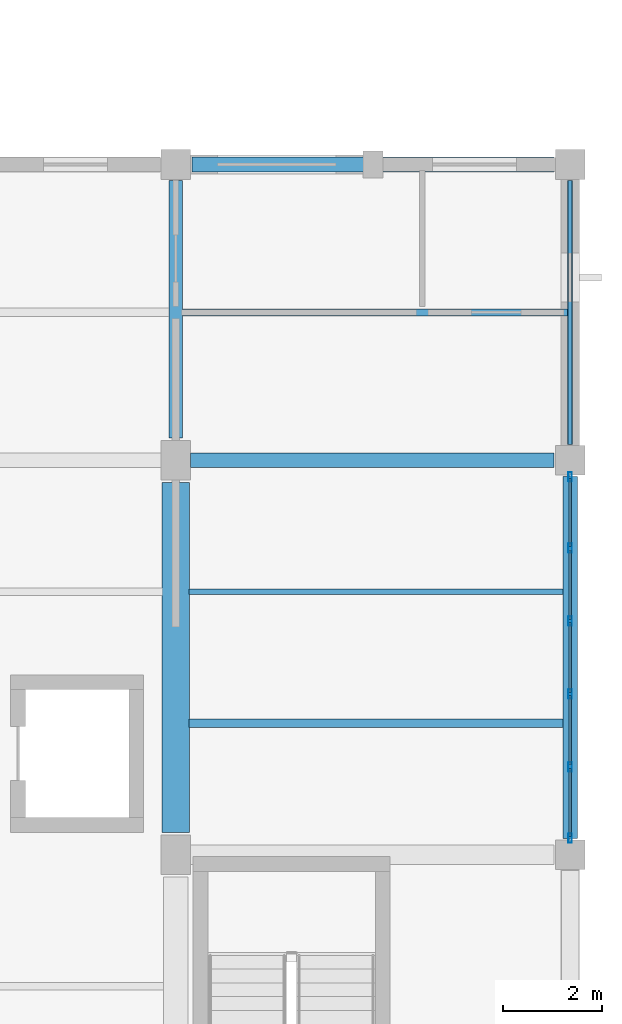
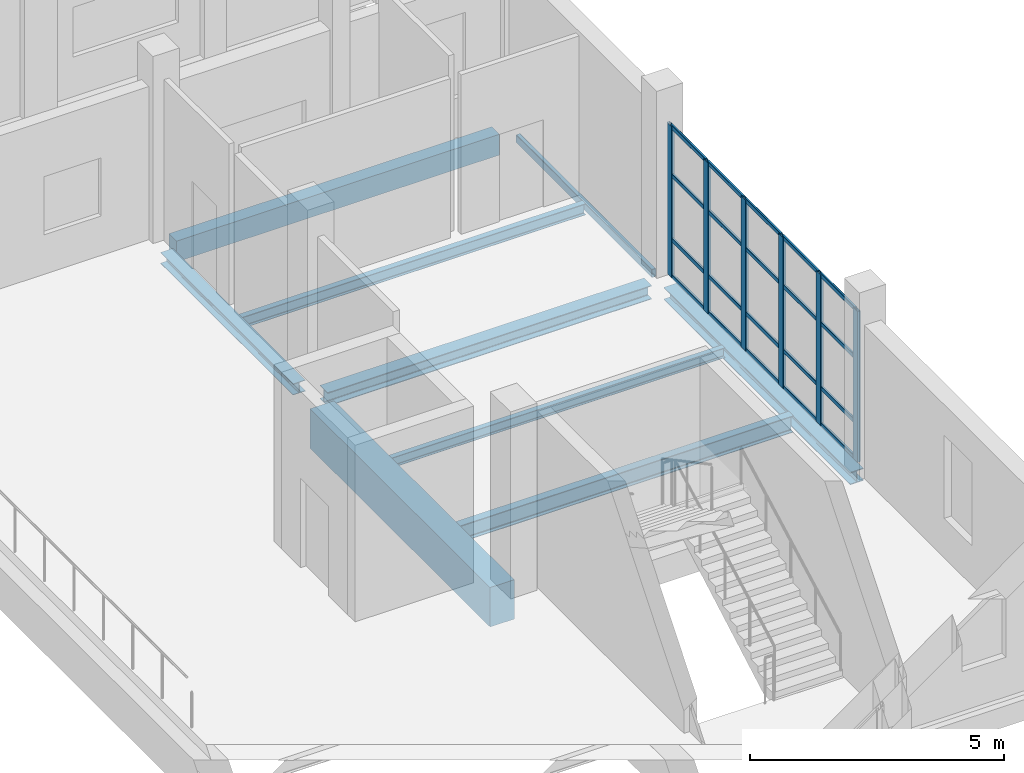
# One storey, part 113 of 183: 26 members, 9 beams, 1 element without a shape of its own.
"""IFC4 building model written with IfcOpenShell, lengths in metres."""

from ifc_helpers import new_model, si_unit, direction, frame, origin, origin_2d, place, context, subcontext, project, spatial, rectangle, hollow_rectangle, i_section, extrude, material, material_profile, profile_set, type_object, element, aggregate, save


model = new_model("IFC4")

# Units and contexts
model_context = context("Model", 3, precision=1e-05, world=origin(), true_north=direction((0.0, 1.0)))
body_context = subcontext(model_context, "Body", "Model", "MODEL_VIEW")
ifc_project = project(units=[si_unit("LENGTHUNIT", "METRE"), si_unit("AREAUNIT", "SQUARE_METRE"), si_unit("VOLUMEUNIT", "CUBIC_METRE"), si_unit("PLANEANGLEUNIT", "RADIAN"), si_unit("MASSUNIT", "GRAM", prefix="KILO")], contexts=[model_context])

# Site, building, storey
site_placement = place(None, origin())
site = spatial("IfcSite", under=ifc_project, at=site_placement, CompositionType="ELEMENT")
building_placement = place(site_placement, origin())
building = spatial("IfcBuilding", under=site, at=building_placement, Name="Luwemba Playhouse", CompositionType="ELEMENT")
storey_placement = place(building_placement, frame((0.0, 0.0, 4.800048828125)))
storey = spatial("IfcBuildingStorey", under=building, at=storey_placement, Name="L01", CompositionType="ELEMENT", Elevation=4.800048828125)

# Beams
ifc_material_1 = material(Name="Concrete C40/50", Category="concrete")
ifc_material_profile_1 = material_profile(ifc_material_1, rectangle(XDim=0.550048828125, YDim=0.949951171875, at=origin_2d()))
ifc_profile_set_1 = profile_set([ifc_material_profile_1], Name="Concrete C40/50")
beam_type_1 = type_object("IfcBeamType", Name="BM-RB08", PredefinedType="BEAM", material=ifc_profile_set_1)
beam_1_placement = place(storey_placement, frame((164.0, 76.449951171875, -0.72509765625), z_axis=(0.0, 1.0, 0.0), x_axis=(-1.0, 0.0, 0.0)))
element("IfcBeam", 1, at=beam_1_placement, inside=storey, type_object=beam_type_1, Name="L01 transverse girder 0463", PredefinedType="BEAM", context=body_context, shape_type="SweptSolid", body=[
    extrude(rectangle(XDim=0.550048828125, YDim=0.949951171875, at=origin_2d()), origin(), (0.0, 0.0, 1.0), 7.10009765625),
])
ifc_material_2 = material(Name="Steel S355", Category="steel")
ifc_material_profile_2 = material_profile(ifc_material_2, i_section(OverallWidth=0.280029296875, OverallDepth=0.27001953125, WebThickness=0.008056640625, FlangeThickness=0.012939453125, FilletRadius=0.02392578125, at=origin_2d()))
ifc_profile_set_2 = profile_set([ifc_material_profile_2], Name="Steel S355")
beam_type_2 = type_object("IfcBeamType", Name="BM-SB02", PredefinedType="BEAM", material=ifc_profile_set_2)
beam_2_placement = place(storey_placement, frame((164.0, 84.449951171875, -0.385009765625), z_axis=(0.0, 1.0, 0.0), x_axis=(-1.0, 0.0, 0.0)))
element("IfcBeam", 2, at=beam_2_placement, inside=storey, type_object=beam_type_2, Name="L01 transverse girder 0464", PredefinedType="BEAM", context=body_context, shape_type="SweptSolid", body=[
    extrude(i_section(OverallWidth=0.280029296875, OverallDepth=0.27001953125, WebThickness=0.008056640625, FlangeThickness=0.012939453125, FilletRadius=0.02392578125, at=origin_2d()), origin(), (0.0, 0.0, 1.0), 5.22509765625),
])
ifc_material_profile_3 = material_profile(ifc_material_2, i_section(OverallWidth=0.300048828125, OverallDepth=0.330078125, WebThickness=0.009521484375, FlangeThickness=0.0166015625, FilletRadius=0.027099609375, at=origin_2d()))
ifc_profile_set_3 = profile_set([ifc_material_profile_3], Name="Steel S355")
beam_type_3 = type_object("IfcBeamType", Name="BM-SB04", PredefinedType="BEAM", material=ifc_profile_set_3)
beam_3_placement = place(storey_placement, frame((164.300048828125, 84.0, -0.4150390625), z_axis=(1.0, 0.0, 0.0), x_axis=(0.0, 1.0, 0.0)))
element("IfcBeam", 3, at=beam_3_placement, inside=storey, type_object=beam_type_3, Name="L01 grid girder 0447", PredefinedType="BEAM", context=body_context, shape_type="SweptSolid", body=[
    extrude(i_section(OverallWidth=0.300048828125, OverallDepth=0.330078125, WebThickness=0.009521484375, FlangeThickness=0.0166015625, FilletRadius=0.027099609375, at=origin_2d()), origin(), (0.0, 0.0, 1.0), 7.375),
])
ifc_material_profile_4 = material_profile(ifc_material_2, i_section(OverallWidth=0.1201171875, OverallDepth=0.239990234375, WebThickness=0.006103515625, FlangeThickness=0.009765625, FilletRadius=0.014892578125, at=origin_2d()))
ifc_profile_set_4 = profile_set([ifc_material_profile_4], Name="Steel S355")
beam_type_4 = type_object("IfcBeamType", Name="BM-SJ03", PredefinedType="JOIST", material=ifc_profile_set_4)
beam_4_placement = place(storey_placement, frame((164.27099609375, 81.333251953125, -0.3701171875), z_axis=(1.0, 0.0, 0.0), x_axis=(0.0, 1.0, 0.0)))
element("IfcBeam", 4, at=beam_4_placement, inside=storey, type_object=beam_type_4, Name="L01 composite floor joist 0274", PredefinedType="JOIST", context=body_context, shape_type="SweptSolid", body=[
    extrude(i_section(OverallWidth=0.1201171875, OverallDepth=0.239990234375, WebThickness=0.006103515625, FlangeThickness=0.009765625, FilletRadius=0.014892578125, at=origin_2d()), origin(), (0.0, 0.0, 1.0), 7.5830078125),
])
ifc_material_profile_5 = material_profile(ifc_material_2, i_section(OverallWidth=0.135009765625, OverallDepth=0.27001953125, WebThickness=0.006591796875, FlangeThickness=0.01025390625, FilletRadius=0.014892578125, at=origin_2d()))
ifc_profile_set_5 = profile_set([ifc_material_profile_5], Name="Steel S355")
beam_type_5 = type_object("IfcBeamType", Name="BM-SJ04", PredefinedType="JOIST", material=ifc_profile_set_5)
beam_5_placement = place(storey_placement, frame((164.135986328125, 87.0, -0.385009765625), z_axis=(1.0, 0.0, 0.0), x_axis=(0.0, 1.0, 0.0)))
element("IfcBeam", 5, at=beam_5_placement, inside=storey, type_object=beam_type_5, Name="L01 composite floor joist 0275", PredefinedType="JOIST", context=body_context, shape_type="SweptSolid", body=[
    extrude(i_section(OverallWidth=0.135009765625, OverallDepth=0.27001953125, WebThickness=0.006591796875, FlangeThickness=0.01025390625, FilletRadius=0.014892578125, at=origin_2d()), origin(), (0.0, 0.0, 1.0), 7.818115234375),
])
ifc_material_profile_6 = material_profile(ifc_material_2, i_section(OverallWidth=0.179931640625, OverallDepth=0.39990234375, WebThickness=0.008544921875, FlangeThickness=0.013427734375, FilletRadius=0.02099609375, at=origin_2d()))
ifc_profile_set_6 = profile_set([ifc_material_profile_6], Name="Steel S355")
beam_type_6 = type_object("IfcBeamType", Name="BM-SJ08", PredefinedType="JOIST", material=ifc_profile_set_6)
beam_6_placement = place(storey_placement, frame((164.27099609375, 78.666748046875, -0.449951171875), z_axis=(1.0, 0.0, 0.0), x_axis=(0.0, 1.0, 0.0)))
element("IfcBeam", 6, at=beam_6_placement, inside=storey, type_object=beam_type_6, Name="L01 composite floor joist 0273", PredefinedType="JOIST", context=body_context, shape_type="SweptSolid", body=[
    extrude(i_section(OverallWidth=0.179931640625, OverallDepth=0.39990234375, WebThickness=0.008544921875, FlangeThickness=0.013427734375, FilletRadius=0.02099609375, at=origin_2d()), origin(), (0.0, 0.0, 1.0), 7.5830078125),
])
ifc_material_profile_7 = material_profile(ifc_material_1, rectangle(XDim=0.300048828125, YDim=0.5, at=origin_2d()))
ifc_profile_set_7 = profile_set([ifc_material_profile_7], Name="Concrete C40/50")
beam_type_7 = type_object("IfcBeamType", Name="BM-SP1", PredefinedType="SPANDREL", material=ifc_profile_set_7)
beam_7_placement = place(storey_placement, frame((164.324951171875, 90.0, -0.5), z_axis=(1.0, 0.0, 0.0), x_axis=(0.0, 1.0, 0.0)))
element("IfcBeam", 7, at=beam_7_placement, inside=storey, type_object=beam_type_7, Name="L01 grid girder 0452", PredefinedType="SPANDREL", context=body_context, shape_type="SweptSolid", body=[
    extrude(rectangle(XDim=0.300048828125, YDim=0.5, at=origin_2d()), origin(), (0.0, 0.0, 1.0), 7.35009765625),
])
ifc_material_profile_8 = material_profile(ifc_material_2, i_section(OverallWidth=0.300048828125, OverallDepth=0.300048828125, WebThickness=0.010986328125, FlangeThickness=0.01904296875, FilletRadius=0.027099609375, at=origin_2d()))
ifc_profile_set_8 = profile_set([ifc_material_profile_8], Name="Steel S355")
beam_type_8 = type_object("IfcBeamType", Name="BM-SSP1", PredefinedType="SPANDREL", material=ifc_profile_set_8)
beam_8_placement = place(storey_placement, frame((172.0, 76.324951171875, -0.400146484375), z_axis=(0.0, 1.0, 0.0), x_axis=(-1.0, 0.0, 0.0)))
element("IfcBeam", 8, at=beam_8_placement, inside=storey, type_object=beam_type_8, Name="L01 transverse girder 0466", PredefinedType="SPANDREL", context=body_context, shape_type="SweptSolid", body=[
    extrude(i_section(OverallWidth=0.300048828125, OverallDepth=0.300048828125, WebThickness=0.010986328125, FlangeThickness=0.01904296875, FilletRadius=0.027099609375, at=origin_2d()), origin(), (0.0, 0.0, 1.0), 7.35009765625),
])
ifc_material_profile_9 = material_profile(ifc_material_2, hollow_rectangle(XDim=0.10009765625, YDim=0.199951171875, WallThickness=0.008056640625, InnerFilletRadius=0.011962890625, OuterFilletRadius=0.02001953125, at=origin_2d()))
ifc_profile_set_9 = profile_set([ifc_material_profile_9], Name="Steel S355")
beam_type_9 = type_object("IfcBeamType", Name="BM-SSP2", PredefinedType="SPANDREL", material=ifc_profile_set_9)
beam_9_placement = place(storey_placement, frame((172.0, 84.324951171875, -0.35009765625), z_axis=(0.0, 1.0, 0.0), x_axis=(-1.0, 0.0, 0.0)))
element("IfcBeam", 9, at=beam_9_placement, inside=storey, type_object=beam_type_9, Name="L01 transverse girder 0467", PredefinedType="SPANDREL", context=body_context, shape_type="SweptSolid", body=[
    extrude(hollow_rectangle(XDim=0.10009765625, YDim=0.199951171875, WallThickness=0.008056640625, InnerFilletRadius=0.011962890625, OuterFilletRadius=0.02001953125, at=origin_2d()), origin(), (0.0, 0.0, 1.0), 5.35009765625),
])

# Curtain wall, members
ifc_material_3 = material(Name="Solar-control double glazing", Category="glass")
curtain_wall_type = type_object("IfcCurtainWallType", Name="CW-CW83", PredefinedType="USERDEFINED", material=ifc_material_3)
curtain_wall_placement = place(storey_placement, origin())
curtain_wall = element("IfcCurtainWall", 10, at=curtain_wall_placement, inside=storey, type_object=curtain_wall_type, Name="L01 V4 unitised curtain wall 113", ObjectType="UNITISED GLAZING", PredefinedType="USERDEFINED")
ifc_material_4 = material(Name="Aluminium 6063-T6", Category="aluminium")
ifc_material_profile_10 = material_profile(ifc_material_4, hollow_rectangle(XDim=0.070068359375, YDim=0.18994140625, WallThickness=0.0048828125, InnerFilletRadius=0.007568359375, OuterFilletRadius=0.012451171875, at=origin_2d()))
ifc_profile_set_10 = profile_set([ifc_material_profile_10], Name="Aluminium 6063-T6")
member_type_1 = type_object("IfcMemberType", Name="CWM-M4", PredefinedType="MULLION", material=ifc_profile_set_10)
member_1_placement = place(storey_placement, frame((172.0, 83.6650390625, 0.0), z_axis=(0.0, 0.0, 1.0), x_axis=(1.0, 0.0, 0.0)))
member_1 = element("IfcMember", 11, at=member_1_placement, type_object=member_type_1, Name="CW83 mullion 1", PredefinedType="MULLION", context=body_context, shape_type="SweptSolid", body=[
    extrude(hollow_rectangle(XDim=0.070068359375, YDim=0.18994140625, WallThickness=0.0048828125, InnerFilletRadius=0.007568359375, OuterFilletRadius=0.012451171875, at=origin_2d()), origin(), (0.0, 0.0, 1.0), 3.635009765625),
])
member_2_placement = place(storey_placement, frame((172.0, 82.219970703125, 0.0), z_axis=(0.0, 0.0, 1.0), x_axis=(1.0, 0.0, 0.0)))
member_2 = element("IfcMember", 12, at=member_2_placement, type_object=member_type_1, Name="CW83 mullion 2", PredefinedType="MULLION", context=body_context, shape_type="SweptSolid", body=[
    extrude(hollow_rectangle(XDim=0.070068359375, YDim=0.18994140625, WallThickness=0.0048828125, InnerFilletRadius=0.007568359375, OuterFilletRadius=0.012451171875, at=origin_2d()), origin(), (0.0, 0.0, 1.0), 3.635009765625),
])
member_3_placement = place(storey_placement, frame((172.0, 80.739990234375, 0.0), z_axis=(0.0, 0.0, 1.0), x_axis=(1.0, 0.0, 0.0)))
member_3 = element("IfcMember", 13, at=member_3_placement, type_object=member_type_1, Name="CW83 mullion 3", PredefinedType="MULLION", context=body_context, shape_type="SweptSolid", body=[
    extrude(hollow_rectangle(XDim=0.070068359375, YDim=0.18994140625, WallThickness=0.0048828125, InnerFilletRadius=0.007568359375, OuterFilletRadius=0.012451171875, at=origin_2d()), origin(), (0.0, 0.0, 1.0), 3.635009765625),
])
member_4_placement = place(storey_placement, frame((172.0, 79.260009765625, 0.0), z_axis=(0.0, 0.0, 1.0), x_axis=(1.0, 0.0, 0.0)))
member_4 = element("IfcMember", 14, at=member_4_placement, type_object=member_type_1, Name="CW83 mullion 4", PredefinedType="MULLION", context=body_context, shape_type="SweptSolid", body=[
    extrude(hollow_rectangle(XDim=0.070068359375, YDim=0.18994140625, WallThickness=0.0048828125, InnerFilletRadius=0.007568359375, OuterFilletRadius=0.012451171875, at=origin_2d()), origin(), (0.0, 0.0, 1.0), 3.635009765625),
])
member_5_placement = place(storey_placement, frame((172.0, 77.780029296875, 0.0), z_axis=(0.0, 0.0, 1.0), x_axis=(1.0, 0.0, 0.0)))
member_5 = element("IfcMember", 15, at=member_5_placement, type_object=member_type_1, Name="CW83 mullion 5", PredefinedType="MULLION", context=body_context, shape_type="SweptSolid", body=[
    extrude(hollow_rectangle(XDim=0.070068359375, YDim=0.18994140625, WallThickness=0.0048828125, InnerFilletRadius=0.007568359375, OuterFilletRadius=0.012451171875, at=origin_2d()), origin(), (0.0, 0.0, 1.0), 3.635009765625),
])
member_6_placement = place(storey_placement, frame((172.0, 76.3349609375, 0.0), z_axis=(0.0, 0.0, 1.0), x_axis=(1.0, 0.0, 0.0)))
member_6 = element("IfcMember", 16, at=member_6_placement, type_object=member_type_1, Name="CW83 mullion 6", PredefinedType="MULLION", context=body_context, shape_type="SweptSolid", body=[
    extrude(hollow_rectangle(XDim=0.070068359375, YDim=0.18994140625, WallThickness=0.0048828125, InnerFilletRadius=0.007568359375, OuterFilletRadius=0.012451171875, at=origin_2d()), origin(), (0.0, 0.0, 1.0), 3.635009765625),
])
ifc_material_profile_11 = material_profile(ifc_material_4, hollow_rectangle(XDim=0.050048828125, YDim=0.10009765625, WallThickness=0.00341796875, InnerFilletRadius=0.00537109375, OuterFilletRadius=0.0087890625, at=origin_2d()))
ifc_profile_set_11 = profile_set([ifc_material_profile_11], Name="Aluminium 6063-T6")
member_type_2 = type_object("IfcMemberType", Name="CWT-T4", PredefinedType="USERDEFINED", material=ifc_profile_set_11)
member_7_placement = place(storey_placement, frame((172.0, 83.6298828125, 0.02490234375), z_axis=(0.0, -1.0, 0.0), x_axis=(1.0, 0.0, 0.0)))
member_7 = element("IfcMember", 17, at=member_7_placement, type_object=member_type_2, Name="CW83 transom 1.1", ObjectType="TRANSOM", PredefinedType="USERDEFINED", context=body_context, shape_type="SweptSolid", body=[
    extrude(hollow_rectangle(XDim=0.050048828125, YDim=0.10009765625, WallThickness=0.00341796875, InnerFilletRadius=0.00537109375, OuterFilletRadius=0.0087890625, at=origin_2d()), origin(), (0.0, 0.0, 1.0), 1.375),
])
member_8_placement = place(storey_placement, frame((172.0, 83.6298828125, 0.89990234375), z_axis=(0.0, -1.0, 0.0), x_axis=(1.0, 0.0, 0.0)))
member_8 = element("IfcMember", 18, at=member_8_placement, type_object=member_type_2, Name="CW83 transom 1.2", ObjectType="TRANSOM", PredefinedType="USERDEFINED", context=body_context, shape_type="SweptSolid", body=[
    extrude(hollow_rectangle(XDim=0.050048828125, YDim=0.10009765625, WallThickness=0.00341796875, InnerFilletRadius=0.00537109375, OuterFilletRadius=0.0087890625, at=origin_2d()), origin(), (0.0, 0.0, 1.0), 1.375),
])
member_9_placement = place(storey_placement, frame((172.0, 83.6298828125, 2.449951171875), z_axis=(0.0, -1.0, 0.0), x_axis=(1.0, 0.0, 0.0)))
member_9 = element("IfcMember", 19, at=member_9_placement, type_object=member_type_2, Name="CW83 transom 1.3", ObjectType="TRANSOM", PredefinedType="USERDEFINED", context=body_context, shape_type="SweptSolid", body=[
    extrude(hollow_rectangle(XDim=0.050048828125, YDim=0.10009765625, WallThickness=0.00341796875, InnerFilletRadius=0.00537109375, OuterFilletRadius=0.0087890625, at=origin_2d()), origin(), (0.0, 0.0, 1.0), 1.375),
])
member_10_placement = place(storey_placement, frame((172.0, 83.6298828125, 3.60986328125), z_axis=(0.0, -1.0, 0.0), x_axis=(1.0, 0.0, 0.0)))
member_10 = element("IfcMember", 20, at=member_10_placement, type_object=member_type_2, Name="CW83 transom 1.4", ObjectType="TRANSOM", PredefinedType="USERDEFINED", context=body_context, shape_type="SweptSolid", body=[
    extrude(hollow_rectangle(XDim=0.050048828125, YDim=0.10009765625, WallThickness=0.00341796875, InnerFilletRadius=0.00537109375, OuterFilletRadius=0.0087890625, at=origin_2d()), origin(), (0.0, 0.0, 1.0), 1.375),
])
member_11_placement = place(storey_placement, frame((172.0, 82.18505859375, 0.02490234375), z_axis=(0.0, -1.0, 0.0), x_axis=(1.0, 0.0, 0.0)))
member_11 = element("IfcMember", 21, at=member_11_placement, type_object=member_type_2, Name="CW83 transom 2.1", ObjectType="TRANSOM", PredefinedType="USERDEFINED", context=body_context, shape_type="SweptSolid", body=[
    extrude(hollow_rectangle(XDim=0.050048828125, YDim=0.10009765625, WallThickness=0.00341796875, InnerFilletRadius=0.00537109375, OuterFilletRadius=0.0087890625, at=origin_2d()), origin(), (0.0, 0.0, 1.0), 1.41015625),
])
member_12_placement = place(storey_placement, frame((172.0, 82.18505859375, 0.89990234375), z_axis=(0.0, -1.0, 0.0), x_axis=(1.0, 0.0, 0.0)))
member_12 = element("IfcMember", 22, at=member_12_placement, type_object=member_type_2, Name="CW83 transom 2.2", ObjectType="TRANSOM", PredefinedType="USERDEFINED", context=body_context, shape_type="SweptSolid", body=[
    extrude(hollow_rectangle(XDim=0.050048828125, YDim=0.10009765625, WallThickness=0.00341796875, InnerFilletRadius=0.00537109375, OuterFilletRadius=0.0087890625, at=origin_2d()), origin(), (0.0, 0.0, 1.0), 1.41015625),
])
member_13_placement = place(storey_placement, frame((172.0, 82.18505859375, 2.449951171875), z_axis=(0.0, -1.0, 0.0), x_axis=(1.0, 0.0, 0.0)))
member_13 = element("IfcMember", 23, at=member_13_placement, type_object=member_type_2, Name="CW83 transom 2.3", ObjectType="TRANSOM", PredefinedType="USERDEFINED", context=body_context, shape_type="SweptSolid", body=[
    extrude(hollow_rectangle(XDim=0.050048828125, YDim=0.10009765625, WallThickness=0.00341796875, InnerFilletRadius=0.00537109375, OuterFilletRadius=0.0087890625, at=origin_2d()), origin(), (0.0, 0.0, 1.0), 1.41015625),
])
member_14_placement = place(storey_placement, frame((172.0, 82.18505859375, 3.60986328125), z_axis=(0.0, -1.0, 0.0), x_axis=(1.0, 0.0, 0.0)))
member_14 = element("IfcMember", 24, at=member_14_placement, type_object=member_type_2, Name="CW83 transom 2.4", ObjectType="TRANSOM", PredefinedType="USERDEFINED", context=body_context, shape_type="SweptSolid", body=[
    extrude(hollow_rectangle(XDim=0.050048828125, YDim=0.10009765625, WallThickness=0.00341796875, InnerFilletRadius=0.00537109375, OuterFilletRadius=0.0087890625, at=origin_2d()), origin(), (0.0, 0.0, 1.0), 1.41015625),
])
member_15_placement = place(storey_placement, frame((172.0, 80.705078125, 0.02490234375), z_axis=(0.0, -1.0, 0.0), x_axis=(1.0, 0.0, 0.0)))
member_15 = element("IfcMember", 25, at=member_15_placement, type_object=member_type_2, Name="CW83 transom 3.1", ObjectType="TRANSOM", PredefinedType="USERDEFINED", context=body_context, shape_type="SweptSolid", body=[
    extrude(hollow_rectangle(XDim=0.050048828125, YDim=0.10009765625, WallThickness=0.00341796875, InnerFilletRadius=0.00537109375, OuterFilletRadius=0.0087890625, at=origin_2d()), origin(), (0.0, 0.0, 1.0), 1.41015625),
])
member_16_placement = place(storey_placement, frame((172.0, 80.705078125, 0.89990234375), z_axis=(0.0, -1.0, 0.0), x_axis=(1.0, 0.0, 0.0)))
member_16 = element("IfcMember", 26, at=member_16_placement, type_object=member_type_2, Name="CW83 transom 3.2", ObjectType="TRANSOM", PredefinedType="USERDEFINED", context=body_context, shape_type="SweptSolid", body=[
    extrude(hollow_rectangle(XDim=0.050048828125, YDim=0.10009765625, WallThickness=0.00341796875, InnerFilletRadius=0.00537109375, OuterFilletRadius=0.0087890625, at=origin_2d()), origin(), (0.0, 0.0, 1.0), 1.41015625),
])
member_17_placement = place(storey_placement, frame((172.0, 80.705078125, 2.449951171875), z_axis=(0.0, -1.0, 0.0), x_axis=(1.0, 0.0, 0.0)))
member_17 = element("IfcMember", 27, at=member_17_placement, type_object=member_type_2, Name="CW83 transom 3.3", ObjectType="TRANSOM", PredefinedType="USERDEFINED", context=body_context, shape_type="SweptSolid", body=[
    extrude(hollow_rectangle(XDim=0.050048828125, YDim=0.10009765625, WallThickness=0.00341796875, InnerFilletRadius=0.00537109375, OuterFilletRadius=0.0087890625, at=origin_2d()), origin(), (0.0, 0.0, 1.0), 1.41015625),
])
member_18_placement = place(storey_placement, frame((172.0, 80.705078125, 3.60986328125), z_axis=(0.0, -1.0, 0.0), x_axis=(1.0, 0.0, 0.0)))
member_18 = element("IfcMember", 28, at=member_18_placement, type_object=member_type_2, Name="CW83 transom 3.4", ObjectType="TRANSOM", PredefinedType="USERDEFINED", context=body_context, shape_type="SweptSolid", body=[
    extrude(hollow_rectangle(XDim=0.050048828125, YDim=0.10009765625, WallThickness=0.00341796875, InnerFilletRadius=0.00537109375, OuterFilletRadius=0.0087890625, at=origin_2d()), origin(), (0.0, 0.0, 1.0), 1.41015625),
])
member_19_placement = place(storey_placement, frame((172.0, 79.22509765625, 0.02490234375), z_axis=(0.0, -1.0, 0.0), x_axis=(1.0, 0.0, 0.0)))
member_19 = element("IfcMember", 29, at=member_19_placement, type_object=member_type_2, Name="CW83 transom 4.1", ObjectType="TRANSOM", PredefinedType="USERDEFINED", context=body_context, shape_type="SweptSolid", body=[
    extrude(hollow_rectangle(XDim=0.050048828125, YDim=0.10009765625, WallThickness=0.00341796875, InnerFilletRadius=0.00537109375, OuterFilletRadius=0.0087890625, at=origin_2d()), origin(), (0.0, 0.0, 1.0), 1.41015625),
])
member_20_placement = place(storey_placement, frame((172.0, 79.22509765625, 0.89990234375), z_axis=(0.0, -1.0, 0.0), x_axis=(1.0, 0.0, 0.0)))
member_20 = element("IfcMember", 30, at=member_20_placement, type_object=member_type_2, Name="CW83 transom 4.2", ObjectType="TRANSOM", PredefinedType="USERDEFINED", context=body_context, shape_type="SweptSolid", body=[
    extrude(hollow_rectangle(XDim=0.050048828125, YDim=0.10009765625, WallThickness=0.00341796875, InnerFilletRadius=0.00537109375, OuterFilletRadius=0.0087890625, at=origin_2d()), origin(), (0.0, 0.0, 1.0), 1.41015625),
])
member_21_placement = place(storey_placement, frame((172.0, 79.22509765625, 2.449951171875), z_axis=(0.0, -1.0, 0.0), x_axis=(1.0, 0.0, 0.0)))
member_21 = element("IfcMember", 31, at=member_21_placement, type_object=member_type_2, Name="CW83 transom 4.3", ObjectType="TRANSOM", PredefinedType="USERDEFINED", context=body_context, shape_type="SweptSolid", body=[
    extrude(hollow_rectangle(XDim=0.050048828125, YDim=0.10009765625, WallThickness=0.00341796875, InnerFilletRadius=0.00537109375, OuterFilletRadius=0.0087890625, at=origin_2d()), origin(), (0.0, 0.0, 1.0), 1.41015625),
])
member_22_placement = place(storey_placement, frame((172.0, 79.22509765625, 3.60986328125), z_axis=(0.0, -1.0, 0.0), x_axis=(1.0, 0.0, 0.0)))
member_22 = element("IfcMember", 32, at=member_22_placement, type_object=member_type_2, Name="CW83 transom 4.4", ObjectType="TRANSOM", PredefinedType="USERDEFINED", context=body_context, shape_type="SweptSolid", body=[
    extrude(hollow_rectangle(XDim=0.050048828125, YDim=0.10009765625, WallThickness=0.00341796875, InnerFilletRadius=0.00537109375, OuterFilletRadius=0.0087890625, at=origin_2d()), origin(), (0.0, 0.0, 1.0), 1.41015625),
])
member_23_placement = place(storey_placement, frame((172.0, 77.7451171875, 0.02490234375), z_axis=(0.0, -1.0, 0.0), x_axis=(1.0, 0.0, 0.0)))
member_23 = element("IfcMember", 33, at=member_23_placement, type_object=member_type_2, Name="CW83 transom 5.1", ObjectType="TRANSOM", PredefinedType="USERDEFINED", context=body_context, shape_type="SweptSolid", body=[
    extrude(hollow_rectangle(XDim=0.050048828125, YDim=0.10009765625, WallThickness=0.00341796875, InnerFilletRadius=0.00537109375, OuterFilletRadius=0.0087890625, at=origin_2d()), origin(), (0.0, 0.0, 1.0), 1.375),
])
member_24_placement = place(storey_placement, frame((172.0, 77.7451171875, 0.89990234375), z_axis=(0.0, -1.0, 0.0), x_axis=(1.0, 0.0, 0.0)))
member_24 = element("IfcMember", 34, at=member_24_placement, type_object=member_type_2, Name="CW83 transom 5.2", ObjectType="TRANSOM", PredefinedType="USERDEFINED", context=body_context, shape_type="SweptSolid", body=[
    extrude(hollow_rectangle(XDim=0.050048828125, YDim=0.10009765625, WallThickness=0.00341796875, InnerFilletRadius=0.00537109375, OuterFilletRadius=0.0087890625, at=origin_2d()), origin(), (0.0, 0.0, 1.0), 1.375),
])
member_25_placement = place(storey_placement, frame((172.0, 77.7451171875, 2.449951171875), z_axis=(0.0, -1.0, 0.0), x_axis=(1.0, 0.0, 0.0)))
member_25 = element("IfcMember", 35, at=member_25_placement, type_object=member_type_2, Name="CW83 transom 5.3", ObjectType="TRANSOM", PredefinedType="USERDEFINED", context=body_context, shape_type="SweptSolid", body=[
    extrude(hollow_rectangle(XDim=0.050048828125, YDim=0.10009765625, WallThickness=0.00341796875, InnerFilletRadius=0.00537109375, OuterFilletRadius=0.0087890625, at=origin_2d()), origin(), (0.0, 0.0, 1.0), 1.375),
])
member_26_placement = place(storey_placement, frame((172.0, 77.7451171875, 3.60986328125), z_axis=(0.0, -1.0, 0.0), x_axis=(1.0, 0.0, 0.0)))
member_26 = element("IfcMember", 36, at=member_26_placement, type_object=member_type_2, Name="CW83 transom 5.4", ObjectType="TRANSOM", PredefinedType="USERDEFINED", context=body_context, shape_type="SweptSolid", body=[
    extrude(hollow_rectangle(XDim=0.050048828125, YDim=0.10009765625, WallThickness=0.00341796875, InnerFilletRadius=0.00537109375, OuterFilletRadius=0.0087890625, at=origin_2d()), origin(), (0.0, 0.0, 1.0), 1.375),
])
aggregate(curtain_wall, [member_1, member_2, member_3, member_4, member_5, member_6, member_7, member_8, member_9, member_10, member_11, member_12, member_13, member_14, member_15, member_16, member_17, member_18, member_19, member_20, member_21, member_22, member_23, member_24, member_25, member_26])

save(model, "model.ifc")
